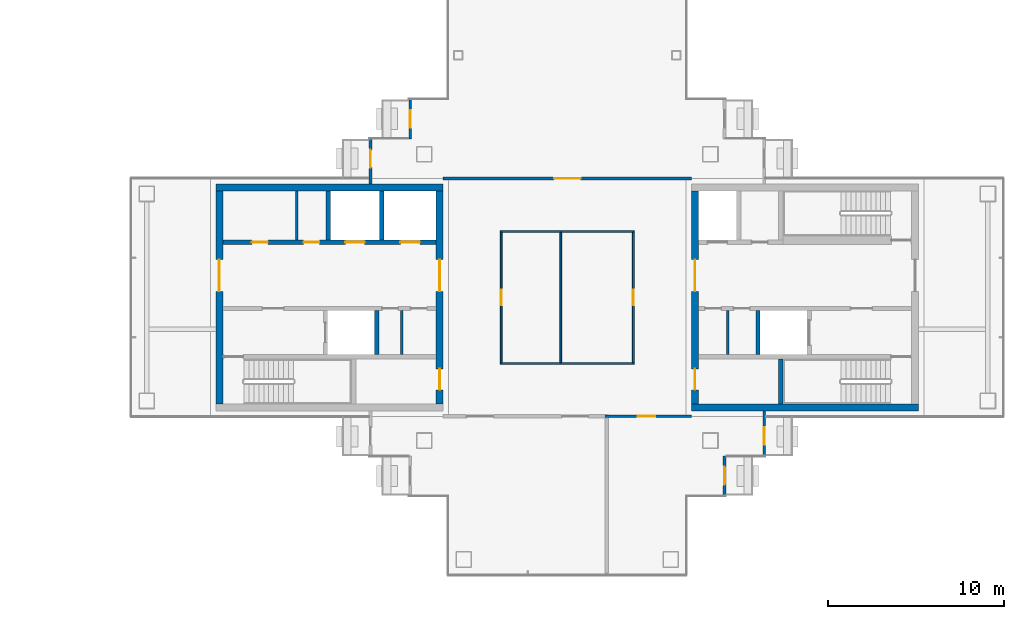
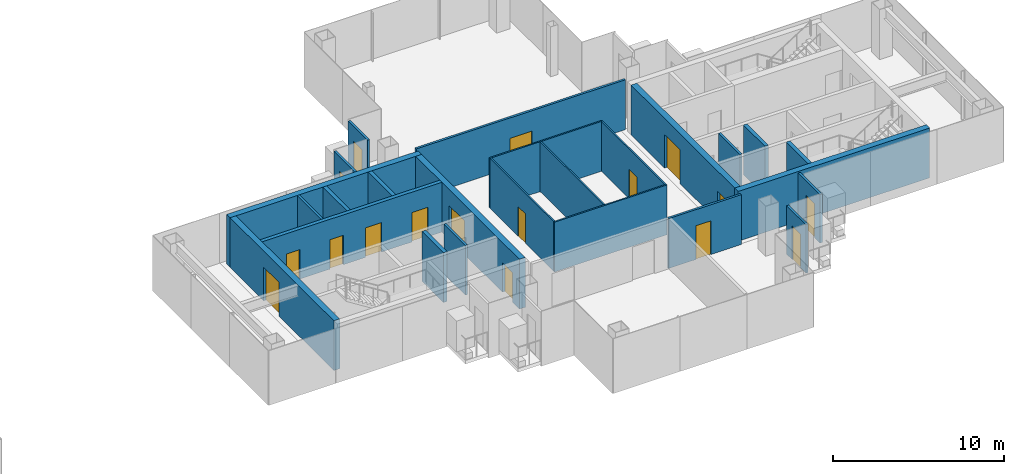
# One storey, part 11 of 16: 25 walls, 17 doors, 17 openings.
"""IFC4 building model written with IfcOpenShell, lengths in metres."""

from ifc_helpers import new_model, si_unit, direction, frame, frame_2d, origin, place, context, subcontext, project, spatial, rectangle, extrude, material, layer, layer_set, type_object, element, fill, save


model = new_model("IFC4")

# Units and contexts
model_context = context("Model", 3, precision=1e-05, world=origin(), true_north=direction((0.0, 1.0)))
body_context = subcontext(model_context, "Body", "Model", "MODEL_VIEW")
ifc_project = project(units=[si_unit("LENGTHUNIT", "METRE"), si_unit("AREAUNIT", "SQUARE_METRE"), si_unit("VOLUMEUNIT", "CUBIC_METRE"), si_unit("PLANEANGLEUNIT", "RADIAN"), si_unit("MASSUNIT", "GRAM", prefix="KILO")], contexts=[model_context])

# Site, building, storey
site_placement = place(None, origin())
site = spatial("IfcSite", under=ifc_project, at=site_placement, CompositionType="ELEMENT")
building_placement = place(site_placement, origin())
building = spatial("IfcBuilding", under=site, at=building_placement, Name="Shamsa Quay Exchange Towers", CompositionType="ELEMENT")
storey_placement = place(building_placement, frame((0.0, 0.0, 242.10009765625)))
storey = spatial("IfcBuildingStorey", under=building, at=storey_placement, Name="L58", CompositionType="ELEMENT", Elevation=242.10009765625)

# Wall, opening, door
ifc_material_1 = material(Name="Aluminium EN AW-6063 T6, black anodised, with black enamelled glass infill", Category="aluminium")
ifc_layer_1 = layer(ifc_material_1, 0.14990234375)
ifc_layer_set_1 = layer_set([ifc_layer_1], Name="BALCONY DOOR BAY WALL 150")
wall_type_1 = type_object("IfcWallType", Name="BALCONY DOOR BAY WALL 150", PredefinedType="SOLIDWALL", material=ifc_layer_set_1)
wall_1_placement = place(storey_placement, frame((24.824951171875, 9.0, 0.0), z_axis=(0.0, 0.0, 1.0), x_axis=(0.0, 1.0, 0.0)))
wall_1 = element("IfcWall", 1, at=wall_1_placement, inside=storey, type_object=wall_type_1, Name="Door bay T2-PKEN L58", PredefinedType="SOLIDWALL", context=body_context, shape_type="SweptSolid", body=[
    extrude(rectangle(XDim=2.25, YDim=0.14990234375, at=frame_2d((1.125, 0.0))), origin(), (0.0, 0.0, 1.0), 3.449951171875),
])
opening_1_placement = place(wall_1_placement, frame((0.625, 0.0, 0.0)))
opening_1 = element("IfcOpeningElement", 2, at=opening_1_placement, cuts=wall_1, Name="Opening XD385", PredefinedType="OPENING", context=body_context, shape_type="SweptSolid", body=[
    extrude(rectangle(XDim=1.0, YDim=2.39990234375, at=frame_2d((0.5, 1.199951171875))), frame((0.0, 0.0849609375, 0.0), z_axis=(0.0, -1.0, 0.0), x_axis=(1.0, 0.0, 0.0)), (0.0, 0.0, 1.0), 0.169921875),
])
ifc_material_2 = material(Name="Aluminium EN AW-6063 T6, black anodised, with laminated glass leaf", Category="aluminium")
door_type_1 = type_object("IfcDoorType", Name="BALCONY DOOR 1000x2400", OperationType="SINGLE_SWING_LEFT", PredefinedType="DOOR", material=ifc_material_2)
door_1_placement = place(opening_1_placement, origin())
door_1 = element("IfcDoor", 3, at=door_1_placement, inside=storey, type_object=door_type_1, Name="Balcony door T2-PKEN L58", OperationType="SINGLE_SWING_RIGHT", OverallHeight=2.39990234375, OverallWidth=1.0, PredefinedType="DOOR", context=body_context, shape_type="SweptSolid", body=[
    extrude(rectangle(XDim=1.0, YDim=2.39990234375, at=frame_2d((0.5, 1.199951171875))), frame((0.0, 0.02490234375, 0.0), z_axis=(0.0, -1.0, 0.0), x_axis=(1.0, 0.0, 0.0)), (0.0, 0.0, 1.0), 0.050048828125),
])
fill(opening_1, door_1)

wall_2_placement = place(storey_placement, frame((22.574951171875, 6.447998046875, 0.0), z_axis=(0.0, 0.0, 1.0), x_axis=(0.0, 1.0, 0.0)))
wall_2 = element("IfcWall", 4, at=wall_2_placement, inside=storey, type_object=wall_type_1, Name="Door bay T2-PKEN L58", PredefinedType="SOLIDWALL", context=body_context, shape_type="SweptSolid", body=[
    extrude(rectangle(XDim=2.552001953125, YDim=0.14990234375, at=frame_2d((1.27587890625, 0.0))), origin(), (0.0, 0.0, 1.0), 3.449951171875),
])
opening_2_placement = place(wall_2_placement, frame((0.927001953125, 0.0, 0.0)))
opening_2 = element("IfcOpeningElement", 5, at=opening_2_placement, cuts=wall_2, Name="Opening XD386", PredefinedType="OPENING", context=body_context, shape_type="SweptSolid", body=[
    extrude(rectangle(XDim=1.0, YDim=2.39990234375, at=frame_2d((0.5, 1.199951171875))), frame((0.0, 0.0849609375, 0.0), z_axis=(0.0, -1.0, 0.0), x_axis=(1.0, 0.0, 0.0)), (0.0, 0.0, 1.0), 0.169921875),
])
door_2_placement = place(opening_2_placement, origin())
door_2 = element("IfcDoor", 6, at=door_2_placement, inside=storey, type_object=door_type_1, Name="Balcony door T2-PKEN L58", OperationType="SINGLE_SWING_LEFT", OverallHeight=2.39990234375, OverallWidth=1.0, PredefinedType="DOOR", context=body_context, shape_type="SweptSolid", body=[
    extrude(rectangle(XDim=1.0, YDim=2.39990234375, at=frame_2d((0.5, 1.199951171875))), frame((0.0, 0.02490234375, 0.0), z_axis=(0.0, -1.0, 0.0), x_axis=(1.0, 0.0, 0.0)), (0.0, 0.0, 1.0), 0.050048828125),
])
fill(opening_2, door_2)

wall_3_placement = place(storey_placement, frame((42.675048828125, -9.0, 0.0), z_axis=(0.0, 0.0, 1.0), x_axis=(0.0, -1.0, 0.0)))
wall_3 = element("IfcWall", 7, at=wall_3_placement, inside=storey, type_object=wall_type_1, Name="Door bay T2-PKWS L58", PredefinedType="SOLIDWALL", context=body_context, shape_type="SweptSolid", body=[
    extrude(rectangle(XDim=2.25, YDim=0.14990234375, at=frame_2d((1.125, 0.0))), origin(), (0.0, 0.0, 1.0), 3.449951171875),
])
opening_3_placement = place(wall_3_placement, frame((0.625, 0.0, 0.0)))
opening_3 = element("IfcOpeningElement", 8, at=opening_3_placement, cuts=wall_3, Name="Opening XD391", PredefinedType="OPENING", context=body_context, shape_type="SweptSolid", body=[
    extrude(rectangle(XDim=1.0, YDim=2.39990234375, at=frame_2d((0.5, 1.199951171875))), frame((0.0, 0.0849609375, 0.0), z_axis=(0.0, -1.0, 0.0), x_axis=(1.0, 0.0, 0.0)), (0.0, 0.0, 1.0), 0.169921875),
])
door_3_placement = place(opening_3_placement, origin())
door_3 = element("IfcDoor", 9, at=door_3_placement, inside=storey, type_object=door_type_1, Name="Balcony door T2-PKWS L58", OperationType="SINGLE_SWING_LEFT", OverallHeight=2.39990234375, OverallWidth=1.0, PredefinedType="DOOR", context=body_context, shape_type="SweptSolid", body=[
    extrude(rectangle(XDim=1.0, YDim=2.39990234375, at=frame_2d((0.5, 1.199951171875))), frame((0.0, 0.02490234375, 0.0), z_axis=(0.0, -1.0, 0.0), x_axis=(1.0, 0.0, 0.0)), (0.0, 0.0, 1.0), 0.050048828125),
])
fill(opening_3, door_3)

wall_4_placement = place(storey_placement, frame((44.925048828125, -6.447998046875, 0.0), z_axis=(0.0, 0.0, 1.0), x_axis=(0.0, -1.0, 0.0)))
wall_4 = element("IfcWall", 10, at=wall_4_placement, inside=storey, type_object=wall_type_1, Name="Door bay T2-PKWS L58", PredefinedType="SOLIDWALL", context=body_context, shape_type="SweptSolid", body=[
    extrude(rectangle(XDim=2.552001953125, YDim=0.14990234375, at=frame_2d((1.27587890625, 0.0))), origin(), (0.0, 0.0, 1.0), 3.449951171875),
])
opening_4_placement = place(wall_4_placement, frame((0.927001953125, 0.0, 0.0)))
opening_4 = element("IfcOpeningElement", 11, at=opening_4_placement, cuts=wall_4, Name="Opening XD392", PredefinedType="OPENING", context=body_context, shape_type="SweptSolid", body=[
    extrude(rectangle(XDim=1.0, YDim=2.39990234375, at=frame_2d((0.5, 1.199951171875))), frame((0.0, 0.0849609375, 0.0), z_axis=(0.0, -1.0, 0.0), x_axis=(1.0, 0.0, 0.0)), (0.0, 0.0, 1.0), 0.169921875),
])
door_4_placement = place(opening_4_placement, origin())
door_4 = element("IfcDoor", 12, at=door_4_placement, inside=storey, type_object=door_type_1, Name="Balcony door T2-PKWS L58", OperationType="SINGLE_SWING_RIGHT", OverallHeight=2.39990234375, OverallWidth=1.0, PredefinedType="DOOR", context=body_context, shape_type="SweptSolid", body=[
    extrude(rectangle(XDim=1.0, YDim=2.39990234375, at=frame_2d((0.5, 1.199951171875))), frame((0.0, 0.02490234375, 0.0), z_axis=(0.0, -1.0, 0.0), x_axis=(1.0, 0.0, 0.0)), (0.0, 0.0, 1.0), 0.050048828125),
])
fill(opening_4, door_4)

# Wall
ifc_material_3 = material(Name="Concrete C60/75", Category="concrete")
ifc_layer_2 = layer(ifc_material_3, 0.39990234375)
ifc_layer_set_2 = layer_set([ifc_layer_2], Name="CORE WALL 400 C60/75")
wall_type_2 = type_object("IfcWallType", Name="CORE WALL 400 C60/75", PredefinedType="SHEAR", material=ifc_layer_set_2)
wall_5_placement = place(storey_placement, frame((13.800048828125, 6.25, 0.0)))
element("IfcWall", 13, at=wall_5_placement, inside=storey, type_object=wall_type_2, Name="Core wall T2A-R26-PN", PredefinedType="SHEAR", context=body_context, shape_type="SweptSolid", body=[
    extrude(rectangle(XDim=12.89990234375, YDim=0.39990234375, at=frame_2d((6.449951171875, 0.0))), origin(), (0.0, 0.0, 1.0), 3.5498046875),
])

# Wall, opening, door
wall_6_placement = place(storey_placement, frame((14.0, 6.050048828125, 0.0), z_axis=(0.0, 0.0, 1.0), x_axis=(0.0, -1.0, 0.0)))
wall_6 = element("IfcWall", 14, at=wall_6_placement, inside=storey, type_object=wall_type_2, Name="Core wall T2A-R26-PF", PredefinedType="SHEAR", context=body_context, shape_type="SweptSolid", body=[
    extrude(rectangle(XDim=12.10009765625, YDim=0.39990234375, at=frame_2d((6.050048828125, 0.0))), origin(), (0.0, 0.0, 1.0), 3.5498046875),
])
opening_5_placement = place(wall_6_placement, frame((3.89990234375, 0.0, 0.0)))
opening_5 = element("IfcOpeningElement", 15, at=opening_5_placement, cuts=wall_6, Name="Opening T2A-R26-LBD01", PredefinedType="OPENING", context=body_context, shape_type="SweptSolid", body=[
    extrude(rectangle(XDim=1.800048828125, YDim=2.39990234375, at=frame_2d((0.89990234375, 1.199951171875))), frame((0.0, 0.2099609375, 0.0), z_axis=(0.0, -1.0, 0.0), x_axis=(1.0, 0.0, 0.0)), (0.0, 0.0, 1.0), 0.419921875),
])
ifc_material_4 = material(Name="Steel, fire rated", Category="steel")
door_type_2 = type_object("IfcDoorType", Name="LIFT LOBBY DOOR PAIR 1800", OperationType="DOUBLE_DOOR_SINGLE_SWING", PredefinedType="DOOR", material=ifc_material_4)
door_5_placement = place(opening_5_placement, origin())
door_5 = element("IfcDoor", 16, at=door_5_placement, inside=storey, type_object=door_type_2, Name="T2A-R26-LBD01", OperationType="DOUBLE_DOOR_SINGLE_SWING", OverallHeight=2.39990234375, OverallWidth=1.800048828125, PredefinedType="DOOR", context=body_context, shape_type="SweptSolid", body=[
    extrude(rectangle(XDim=1.800048828125, YDim=2.39990234375, at=frame_2d((0.89990234375, 1.199951171875))), frame((0.0, 0.02490234375, 0.0), z_axis=(0.0, -1.0, 0.0), x_axis=(1.0, 0.0, 0.0)), (0.0, 0.0, 1.0), 0.050048828125),
])
fill(opening_5, door_5)

# Wall, openings, doors
wall_7_placement = place(storey_placement, frame((26.5, 6.050048828125, 0.0), z_axis=(0.0, 0.0, 1.0), x_axis=(0.0, -1.0, 0.0)))
wall_7 = element("IfcWall", 17, at=wall_7_placement, inside=storey, type_object=wall_type_2, Name="Core wall T2A-R26-PB", PredefinedType="SHEAR", context=body_context, shape_type="SweptSolid", body=[
    extrude(rectangle(XDim=12.10009765625, YDim=0.39990234375, at=frame_2d((6.050048828125, 0.0))), origin(), (0.0, 0.0, 1.0), 3.5498046875),
])
opening_6_placement = place(wall_7_placement, frame((10.10009765625, 0.0, 0.0)))
opening_6 = element("IfcOpeningElement", 18, at=opening_6_placement, cuts=wall_7, Name="Opening T2A-R26-RD02", PredefinedType="OPENING", context=body_context, shape_type="SweptSolid", body=[
    extrude(rectangle(XDim=1.199951171875, YDim=2.10009765625, at=frame_2d((0.60009765625, 1.050048828125))), frame((0.0, 0.2099609375, 0.0), z_axis=(0.0, -1.0, 0.0), x_axis=(1.0, 0.0, 0.0)), (0.0, 0.0, 1.0), 0.419921875),
])
opening_7_placement = place(wall_7_placement, frame((3.89990234375, 0.0, 0.0)))
opening_7 = element("IfcOpeningElement", 19, at=opening_7_placement, cuts=wall_7, Name="Opening T2A-R26-LBD03", PredefinedType="OPENING", context=body_context, shape_type="SweptSolid", body=[
    extrude(rectangle(XDim=1.800048828125, YDim=2.39990234375, at=frame_2d((0.89990234375, 1.199951171875))), frame((0.0, 0.2099609375, 0.0), z_axis=(0.0, -1.0, 0.0), x_axis=(1.0, 0.0, 0.0)), (0.0, 0.0, 1.0), 0.419921875),
])
door_6_placement = place(opening_7_placement, origin())
door_6 = element("IfcDoor", 20, at=door_6_placement, inside=storey, type_object=door_type_2, Name="T2A-R26-LBD03", OperationType="DOUBLE_DOOR_SINGLE_SWING", OverallHeight=2.39990234375, OverallWidth=1.800048828125, PredefinedType="DOOR", context=body_context, shape_type="SweptSolid", body=[
    extrude(rectangle(XDim=1.800048828125, YDim=2.39990234375, at=frame_2d((0.89990234375, 1.199951171875))), frame((0.0, 0.02490234375, 0.0), z_axis=(0.0, -1.0, 0.0), x_axis=(1.0, 0.0, 0.0)), (0.0, 0.0, 1.0), 0.050048828125),
])
fill(opening_7, door_6)
door_type_3 = type_object("IfcDoorType", Name="RISER ACCESS DOOR 1200", OperationType="SINGLE_SWING_LEFT", PredefinedType="DOOR", material=ifc_material_4)
door_7_placement = place(opening_6_placement, origin())
door_7 = element("IfcDoor", 21, at=door_7_placement, inside=storey, type_object=door_type_3, Name="T2A-R26-RD02", OperationType="SINGLE_SWING_RIGHT", OverallHeight=2.10009765625, OverallWidth=1.199951171875, PredefinedType="DOOR", context=body_context, shape_type="SweptSolid", body=[
    extrude(rectangle(XDim=1.199951171875, YDim=2.10009765625, at=frame_2d((0.60009765625, 1.050048828125))), frame((0.0, 0.02490234375, 0.0), z_axis=(0.0, -1.0, 0.0), x_axis=(1.0, 0.0, 0.0)), (0.0, 0.0, 1.0), 0.050048828125),
])
fill(opening_6, door_7)

# Wall
wall_8_placement = place(storey_placement, frame((53.699951171875, -6.25, 0.0), z_axis=(0.0, 0.0, 1.0), x_axis=(-1.0, 0.0, 0.0)))
element("IfcWall", 22, at=wall_8_placement, inside=storey, type_object=wall_type_2, Name="Core wall T2B-R26-PS", PredefinedType="SHEAR", context=body_context, shape_type="SweptSolid", body=[
    extrude(rectangle(XDim=12.89990234375, YDim=0.39990234375, at=frame_2d((6.449951171875, 0.0))), origin(), (0.0, 0.0, 1.0), 3.5498046875),
])

# Wall, openings, doors
wall_9_placement = place(storey_placement, frame((41.0, -6.050048828125, 0.0), z_axis=(0.0, 0.0, 1.0), x_axis=(0.0, 1.0, 0.0)))
wall_9 = element("IfcWall", 23, at=wall_9_placement, inside=storey, type_object=wall_type_2, Name="Core wall T2B-R26-PB", PredefinedType="SHEAR", context=body_context, shape_type="SweptSolid", body=[
    extrude(rectangle(XDim=12.10009765625, YDim=0.39990234375, at=frame_2d((6.050048828125, 0.0))), origin(), (0.0, 0.0, 1.0), 3.5498046875),
])
opening_8_placement = place(wall_9_placement, frame((0.800048828125, 0.0, 0.0)))
opening_8 = element("IfcOpeningElement", 24, at=opening_8_placement, cuts=wall_9, Name="Opening T2B-R26-RD02", PredefinedType="OPENING", context=body_context, shape_type="SweptSolid", body=[
    extrude(rectangle(XDim=1.199951171875, YDim=2.10009765625, at=frame_2d((0.60009765625, 1.050048828125))), frame((0.0, 0.2099609375, 0.0), z_axis=(0.0, -1.0, 0.0), x_axis=(1.0, 0.0, 0.0)), (0.0, 0.0, 1.0), 0.419921875),
])
opening_9_placement = place(wall_9_placement, frame((6.39990234375, 0.0, 0.0)))
opening_9 = element("IfcOpeningElement", 25, at=opening_9_placement, cuts=wall_9, Name="Opening T2B-R26-LBD03", PredefinedType="OPENING", context=body_context, shape_type="SweptSolid", body=[
    extrude(rectangle(XDim=1.800048828125, YDim=2.39990234375, at=frame_2d((0.89990234375, 1.199951171875))), frame((0.0, 0.2099609375, 0.0), z_axis=(0.0, -1.0, 0.0), x_axis=(1.0, 0.0, 0.0)), (0.0, 0.0, 1.0), 0.419921875),
])
door_8_placement = place(opening_9_placement, origin())
door_8 = element("IfcDoor", 26, at=door_8_placement, inside=storey, type_object=door_type_2, Name="T2B-R26-LBD03", OperationType="DOUBLE_DOOR_SINGLE_SWING", OverallHeight=2.39990234375, OverallWidth=1.800048828125, PredefinedType="DOOR", context=body_context, shape_type="SweptSolid", body=[
    extrude(rectangle(XDim=1.800048828125, YDim=2.39990234375, at=frame_2d((0.89990234375, 1.199951171875))), frame((0.0, 0.02490234375, 0.0), z_axis=(0.0, -1.0, 0.0), x_axis=(1.0, 0.0, 0.0)), (0.0, 0.0, 1.0), 0.050048828125),
])
fill(opening_9, door_8)
door_9_placement = place(opening_8_placement, origin())
door_9 = element("IfcDoor", 27, at=door_9_placement, inside=storey, type_object=door_type_3, Name="T2B-R26-RD02", OperationType="SINGLE_SWING_LEFT", OverallHeight=2.10009765625, OverallWidth=1.199951171875, PredefinedType="DOOR", context=body_context, shape_type="SweptSolid", body=[
    extrude(rectangle(XDim=1.199951171875, YDim=2.10009765625, at=frame_2d((0.60009765625, 1.050048828125))), frame((0.0, 0.02490234375, 0.0), z_axis=(0.0, -1.0, 0.0), x_axis=(1.0, 0.0, 0.0)), (0.0, 0.0, 1.0), 0.050048828125),
])
fill(opening_8, door_9)

# Walls
ifc_material_5 = material(Name="Gypsum board on steel studs, EI 60", Category="steel")
ifc_layer_3 = layer(ifc_material_5, 0.14990234375)
ifc_layer_set_3 = layer_set([ifc_layer_3], Name="FIRE PARTITION 150")
wall_type_3 = type_object("IfcWallType", Name="FIRE PARTITION 150", PredefinedType="PARTITIONING", material=ifc_layer_set_3)
wall_10_placement = place(storey_placement, frame((24.35009765625, -3.25, 0.0), z_axis=(0.0, 0.0, 1.0), x_axis=(0.0, 1.0, 0.0)))
element("IfcWall", 28, at=wall_10_placement, inside=storey, type_object=wall_type_3, Name="Partition T2A-R26-EC0", PredefinedType="PARTITIONING", context=body_context, shape_type="SweptSolid", body=[
    extrude(rectangle(XDim=2.5, YDim=0.14990234375, at=frame_2d((1.25, 0.0))), origin(), (0.0, 0.0, 1.0), 3.5498046875),
])
wall_11_placement = place(storey_placement, frame((18.39990234375, 3.25, 0.0), z_axis=(0.0, 0.0, 1.0), x_axis=(0.0, 1.0, 0.0)))
element("IfcWall", 29, at=wall_11_placement, inside=storey, type_object=wall_type_3, Name="Partition T2A-R26-FC0", PredefinedType="PARTITIONING", context=body_context, shape_type="SweptSolid", body=[
    extrude(rectangle(XDim=2.800048828125, YDim=0.14990234375, at=frame_2d((1.39990234375, 0.0))), origin(), (0.0, 0.0, 1.0), 3.5498046875),
])
wall_12_placement = place(storey_placement, frame((42.85009765625, -3.25, 0.0), z_axis=(0.0, 0.0, 1.0), x_axis=(0.0, 1.0, 0.0)))
element("IfcWall", 30, at=wall_12_placement, inside=storey, type_object=wall_type_3, Name="Partition T2B-R26-EC0", PredefinedType="PARTITIONING", context=body_context, shape_type="SweptSolid", body=[
    extrude(rectangle(XDim=2.5, YDim=0.14990234375, at=frame_2d((1.25, 0.0))), origin(), (0.0, 0.0, 1.0), 3.5498046875),
])

# Wall, opening, door
ifc_material_6 = material(Name="Gypsum board partition on metal studs")
ifc_layer_4 = layer(ifc_material_6, 0.10009765625)
ifc_layer_set_4 = layer_set([ifc_layer_4], Name="Partition 100 mm NOT RATED")
wall_type_4 = type_object("IfcWallType", Name="Partition 100 mm NOT RATED", PredefinedType="PARTITIONING", material=ifc_layer_set_4)
wall_13_placement = place(storey_placement, frame((37.5, -3.699951171875, 0.0), z_axis=(0.0, 0.0, 1.0), x_axis=(0.0, 1.0, 0.0)))
wall_13 = element("IfcWall", 31, at=wall_13_placement, inside=storey, type_object=wall_type_4, Name="Partition T2-R26-W01", PredefinedType="PARTITIONING", context=body_context, shape_type="SweptSolid", body=[
    extrude(rectangle(XDim=7.39990234375, YDim=0.10009765625, at=frame_2d((3.699951171875, 0.0))), origin(), (0.0, 0.0, 1.0), 3.5498046875),
])
opening_10_placement = place(wall_13_placement, frame((3.25, 0.0, 0.0)))
opening_10 = element("IfcOpeningElement", 32, at=opening_10_placement, cuts=wall_13, Name="Opening T2-R26-D02", PredefinedType="OPENING", context=body_context, shape_type="SweptSolid", body=[
    extrude(rectangle(XDim=0.89990234375, YDim=2.10009765625, at=frame_2d((0.449951171875, 1.050048828125))), frame((0.0, 0.06005859375, 0.0), z_axis=(0.0, -1.0, 0.0), x_axis=(1.0, 0.0, 0.0)), (0.0, 0.0, 1.0), 0.1201171875),
])
ifc_material_7 = material(Name="Timber door leaf in a metal frame", Category="wood")
door_type_4 = type_object("IfcDoorType", Name="Door 900x2100 NOT RATED", OperationType="NOTDEFINED", PredefinedType="DOOR", material=ifc_material_7)
door_10_placement = place(opening_10_placement, origin())
door_10 = element("IfcDoor", 33, at=door_10_placement, inside=storey, type_object=door_type_4, Name="Door T2-R26-D02", OperationType="SINGLE_SWING_LEFT", OverallHeight=2.10009765625, OverallWidth=0.89990234375, PredefinedType="DOOR", context=body_context, shape_type="SweptSolid", body=[
    extrude(rectangle(XDim=0.89990234375, YDim=2.10009765625, at=frame_2d((0.449951171875, 1.050048828125))), frame((0.0, 0.02490234375, 0.0), z_axis=(0.0, -1.0, 0.0), x_axis=(1.0, 0.0, 0.0)), (0.0, 0.0, 1.0), 0.050048828125),
])
fill(opening_10, door_10)

# Walls
wall_14_placement = place(storey_placement, frame((29.949951171875, -3.75, 0.0)))
element("IfcWall", 34, at=wall_14_placement, inside=storey, type_object=wall_type_4, Name="Partition T2-R26-W02", PredefinedType="PARTITIONING", context=body_context, shape_type="SweptSolid", body=[
    extrude(rectangle(XDim=7.60009765625, YDim=0.10009765625, at=frame_2d((3.800048828125, 0.0))), origin(), (0.0, 0.0, 1.0), 3.5498046875),
])
wall_15_placement = place(storey_placement, frame((37.550048828125, 3.75, 0.0), z_axis=(0.0, 0.0, 1.0), x_axis=(-1.0, 0.0, 0.0)))
element("IfcWall", 35, at=wall_15_placement, inside=storey, type_object=wall_type_4, Name="Partition T2-R26-W03", PredefinedType="PARTITIONING", context=body_context, shape_type="SweptSolid", body=[
    extrude(rectangle(XDim=7.60009765625, YDim=0.10009765625, at=frame_2d((3.800048828125, 0.0))), origin(), (0.0, 0.0, 1.0), 3.5498046875),
])

# Wall, opening, door
wall_16_placement = place(storey_placement, frame((30.0, 3.699951171875, 0.0), z_axis=(0.0, 0.0, 1.0), x_axis=(0.0, -1.0, 0.0)))
wall_16 = element("IfcWall", 36, at=wall_16_placement, inside=storey, type_object=wall_type_4, Name="Partition T2-R26-W04", PredefinedType="PARTITIONING", context=body_context, shape_type="SweptSolid", body=[
    extrude(rectangle(XDim=7.39990234375, YDim=0.10009765625, at=frame_2d((3.699951171875, 0.0))), origin(), (0.0, 0.0, 1.0), 3.5498046875),
])
opening_11_placement = place(wall_16_placement, frame((3.25, 0.0, 0.0)))
opening_11 = element("IfcOpeningElement", 37, at=opening_11_placement, cuts=wall_16, Name="Opening T2-R26-D06", PredefinedType="OPENING", context=body_context, shape_type="SweptSolid", body=[
    extrude(rectangle(XDim=0.89990234375, YDim=2.10009765625, at=frame_2d((0.449951171875, 1.050048828125))), frame((0.0, 0.06005859375, 0.0), z_axis=(0.0, -1.0, 0.0), x_axis=(1.0, 0.0, 0.0)), (0.0, 0.0, 1.0), 0.1201171875),
])
door_11_placement = place(opening_11_placement, origin())
door_11 = element("IfcDoor", 38, at=door_11_placement, inside=storey, type_object=door_type_4, Name="Door T2-R26-D06", OperationType="SINGLE_SWING_RIGHT", OverallHeight=2.10009765625, OverallWidth=0.89990234375, PredefinedType="DOOR", context=body_context, shape_type="SweptSolid", body=[
    extrude(rectangle(XDim=0.89990234375, YDim=2.10009765625, at=frame_2d((0.449951171875, 1.050048828125))), frame((0.0, 0.02490234375, 0.0), z_axis=(0.0, -1.0, 0.0), x_axis=(1.0, 0.0, 0.0)), (0.0, 0.0, 1.0), 0.050048828125),
])
fill(opening_11, door_11)

# Wall
wall_17_placement = place(storey_placement, frame((33.375, 3.699951171875, 0.0), z_axis=(0.0, 0.0, 1.0), x_axis=(0.0, -1.0, 0.0)))
element("IfcWall", 39, at=wall_17_placement, inside=storey, type_object=wall_type_4, Name="Partition T2-R26-W08", PredefinedType="PARTITIONING", context=body_context, shape_type="SweptSolid", body=[
    extrude(rectangle(XDim=7.39990234375, YDim=0.10009765625, at=frame_2d((3.699951171875, 0.0))), origin(), (0.0, 0.0, 1.0), 3.5498046875),
])

# Wall, opening, door
ifc_layer_5 = layer(ifc_material_6, 0.14990234375)
ifc_layer_set_5 = layer_set([ifc_layer_5], Name="Partition 150 mm EI 60")
wall_type_5 = type_object("IfcWallType", Name="Partition 150 mm EI 60", PredefinedType="PARTITIONING", material=ifc_layer_set_5)
wall_18_placement = place(storey_placement, frame((26.699951171875, 6.75, 0.0)))
wall_18 = element("IfcWall", 40, at=wall_18_placement, inside=storey, type_object=wall_type_5, Name="Partition T2-R26-W05", PredefinedType="PARTITIONING", context=body_context, shape_type="SweptSolid", body=[
    extrude(rectangle(XDim=14.10009765625, YDim=0.14990234375, at=frame_2d((7.050048828125, 0.0))), origin(), (0.0, 0.0, 1.0), 3.5498046875),
])
opening_12_placement = place(wall_18_placement, frame((6.300048828125, 0.0, 0.0)))
opening_12 = element("IfcOpeningElement", 41, at=opening_12_placement, cuts=wall_18, Name="Opening T2-R26-D01", PredefinedType="OPENING", context=body_context, shape_type="SweptSolid", body=[
    extrude(rectangle(XDim=1.5, YDim=2.10009765625, at=frame_2d((0.75, 1.050048828125))), frame((0.0, 0.0849609375, 0.0), z_axis=(0.0, -1.0, 0.0), x_axis=(1.0, 0.0, 0.0)), (0.0, 0.0, 1.0), 0.169921875),
])
door_type_5 = type_object("IfcDoorType", Name="Door 1500x2100 FD30S pair", OperationType="NOTDEFINED", PredefinedType="DOOR", material=ifc_material_7)
door_12_placement = place(opening_12_placement, origin())
door_12 = element("IfcDoor", 42, at=door_12_placement, inside=storey, type_object=door_type_5, Name="Door T2-R26-D01", OperationType="DOUBLE_DOOR_SINGLE_SWING", OverallHeight=2.10009765625, OverallWidth=1.5, PredefinedType="DOOR", context=body_context, shape_type="SweptSolid", body=[
    extrude(rectangle(XDim=1.5, YDim=2.10009765625, at=frame_2d((0.75, 1.050048828125))), frame((0.0, 0.02490234375, 0.0), z_axis=(0.0, -1.0, 0.0), x_axis=(1.0, 0.0, 0.0)), (0.0, 0.0, 1.0), 0.050048828125),
])
fill(opening_12, door_12)

wall_19_placement = place(storey_placement, frame((40.800048828125, -6.75, 0.0), z_axis=(0.0, 0.0, 1.0), x_axis=(-1.0, 0.0, 0.0)))
wall_19 = element("IfcWall", 43, at=wall_19_placement, inside=storey, type_object=wall_type_5, Name="Partition T2-R26-W06", PredefinedType="PARTITIONING", context=body_context, shape_type="SweptSolid", body=[
    extrude(rectangle(XDim=4.900146484375, YDim=0.14990234375, at=frame_2d((2.4501953125, 0.0))), origin(), (0.0, 0.0, 1.0), 3.5498046875),
])
opening_13_placement = place(wall_19_placement, frame((2.050048828125, 0.0, 0.0)))
opening_13 = element("IfcOpeningElement", 44, at=opening_13_placement, cuts=wall_19, Name="Opening T2-R26-D04", PredefinedType="OPENING", context=body_context, shape_type="SweptSolid", body=[
    extrude(rectangle(XDim=1.0, YDim=2.39990234375, at=frame_2d((0.5, 1.199951171875))), frame((0.0, 0.0849609375, 0.0), z_axis=(0.0, -1.0, 0.0), x_axis=(1.0, 0.0, 0.0)), (0.0, 0.0, 1.0), 0.169921875),
])
door_type_6 = type_object("IfcDoorType", Name="Door 1000x2400 FD30S", OperationType="NOTDEFINED", PredefinedType="DOOR", material=ifc_material_7)
door_13_placement = place(opening_13_placement, origin())
door_13 = element("IfcDoor", 45, at=door_13_placement, inside=storey, type_object=door_type_6, Name="Door T2-R26-D04", OperationType="SINGLE_SWING_RIGHT", OverallHeight=2.39990234375, OverallWidth=1.0, PredefinedType="DOOR", context=body_context, shape_type="SweptSolid", body=[
    extrude(rectangle(XDim=1.0, YDim=2.39990234375, at=frame_2d((0.5, 1.199951171875))), frame((0.0, 0.02490234375, 0.0), z_axis=(0.0, -1.0, 0.0), x_axis=(1.0, 0.0, 0.0)), (0.0, 0.0, 1.0), 0.050048828125),
])
fill(opening_13, door_13)

# Wall
ifc_material_8 = material(Name="Concrete C50/60", Category="concrete")
ifc_layer_6 = layer(ifc_material_8, 0.25)
ifc_layer_set_6 = layer_set([ifc_layer_6], Name="SHAFT WALL 250 C50/60")
wall_type_6 = type_object("IfcWallType", Name="SHAFT WALL 250 C50/60", PredefinedType="SHEAR", material=ifc_layer_set_6)
wall_20_placement = place(storey_placement, frame((22.925048828125, -3.25, 0.0), z_axis=(0.0, 0.0, 1.0), x_axis=(0.0, 1.0, 0.0)))
element("IfcWall", 46, at=wall_20_placement, inside=storey, type_object=wall_type_6, Name="Shaft wall T2A-R26-FFB", PredefinedType="SHEAR", context=body_context, shape_type="SweptSolid", body=[
    extrude(rectangle(XDim=2.5, YDim=0.25, at=frame_2d((1.25, 0.0))), origin(), (0.0, 0.0, 1.0), 3.5498046875),
])

# Wall, openings, doors
wall_21_placement = place(storey_placement, frame((14.199951171875, 3.125, 0.0)))
wall_21 = element("IfcWall", 47, at=wall_21_placement, inside=storey, type_object=wall_type_6, Name="Shaft wall T2A-R26-N", PredefinedType="SHEAR", context=body_context, shape_type="SweptSolid", body=[
    extrude(rectangle(XDim=12.10009765625, YDim=0.25, at=frame_2d((6.050048828125, 0.0))), origin(), (0.0, 0.0, 1.0), 3.5498046875),
])
opening_14_placement = place(wall_21_placement, frame((6.949951171875, 0.0, 0.0)))
opening_14 = element("IfcOpeningElement", 48, at=opening_14_placement, cuts=wall_21, Name="Opening T2A-R26-LD09", PredefinedType="OPENING", context=body_context, shape_type="SweptSolid", body=[
    extrude(rectangle(XDim=1.10009765625, YDim=2.10009765625, at=frame_2d((0.550048828125, 1.050048828125))), frame((0.0, 0.135009765625, 0.0), z_axis=(0.0, -1.0, 0.0), x_axis=(1.0, 0.0, 0.0)), (0.0, 0.0, 1.0), 0.27001953125),
])
opening_15_placement = place(wall_21_placement, frame((10.074951171875, 0.0, 0.0)))
opening_15 = element("IfcOpeningElement", 49, at=opening_15_placement, cuts=wall_21, Name="Opening T2A-R26-LD10", PredefinedType="OPENING", context=body_context, shape_type="SweptSolid", body=[
    extrude(rectangle(XDim=1.10009765625, YDim=2.10009765625, at=frame_2d((0.550048828125, 1.050048828125))), frame((0.0, 0.135009765625, 0.0), z_axis=(0.0, -1.0, 0.0), x_axis=(1.0, 0.0, 0.0)), (0.0, 0.0, 1.0), 0.27001953125),
])
opening_16_placement = place(wall_21_placement, frame((1.64990234375, 0.0, 0.0)))
opening_16 = element("IfcOpeningElement", 50, at=opening_16_placement, cuts=wall_21, Name="Opening T2A-R26-SV11", PredefinedType="OPENING", context=body_context, shape_type="SweptSolid", body=[
    extrude(rectangle(XDim=0.89990234375, YDim=2.10009765625, at=frame_2d((0.449951171875, 1.050048828125))), frame((0.0, 0.135009765625, 0.0), z_axis=(0.0, -1.0, 0.0), x_axis=(1.0, 0.0, 0.0)), (0.0, 0.0, 1.0), 0.27001953125),
])
opening_17_placement = place(wall_21_placement, frame((4.574951171875, 0.0, 0.0)))
opening_17 = element("IfcOpeningElement", 51, at=opening_17_placement, cuts=wall_21, Name="Opening T2A-R26-SV12", PredefinedType="OPENING", context=body_context, shape_type="SweptSolid", body=[
    extrude(rectangle(XDim=0.89990234375, YDim=2.10009765625, at=frame_2d((0.449951171875, 1.050048828125))), frame((0.0, 0.135009765625, 0.0), z_axis=(0.0, -1.0, 0.0), x_axis=(1.0, 0.0, 0.0)), (0.0, 0.0, 1.0), 0.27001953125),
])
door_type_7 = type_object("IfcDoorType", Name="LANDING DOOR 1100", OperationType="SLIDING_TO_LEFT", PredefinedType="DOOR", material=ifc_material_4)
door_14_placement = place(opening_14_placement, origin())
door_14 = element("IfcDoor", 52, at=door_14_placement, inside=storey, type_object=door_type_7, Name="T2A-R26-LD09", OperationType="SLIDING_TO_LEFT", OverallHeight=2.10009765625, OverallWidth=1.10009765625, PredefinedType="DOOR", context=body_context, shape_type="SweptSolid", body=[
    extrude(rectangle(XDim=1.10009765625, YDim=2.10009765625, at=frame_2d((0.550048828125, 1.050048828125))), frame((0.0, 0.02490234375, 0.0), z_axis=(0.0, -1.0, 0.0), x_axis=(1.0, 0.0, 0.0)), (0.0, 0.0, 1.0), 0.050048828125),
])
fill(opening_14, door_14)
door_15_placement = place(opening_15_placement, origin())
door_15 = element("IfcDoor", 53, at=door_15_placement, inside=storey, type_object=door_type_7, Name="T2A-R26-LD10", OperationType="SLIDING_TO_LEFT", OverallHeight=2.10009765625, OverallWidth=1.10009765625, PredefinedType="DOOR", context=body_context, shape_type="SweptSolid", body=[
    extrude(rectangle(XDim=1.10009765625, YDim=2.10009765625, at=frame_2d((0.550048828125, 1.050048828125))), frame((0.0, 0.02490234375, 0.0), z_axis=(0.0, -1.0, 0.0), x_axis=(1.0, 0.0, 0.0)), (0.0, 0.0, 1.0), 0.050048828125),
])
fill(opening_15, door_15)
door_type_8 = type_object("IfcDoorType", Name="SERVICE ROOM DOOR 900", OperationType="SINGLE_SWING_LEFT", PredefinedType="DOOR", material=ifc_material_4)
door_16_placement = place(opening_16_placement, origin())
door_16 = element("IfcDoor", 54, at=door_16_placement, inside=storey, type_object=door_type_8, Name="T2A-R26-SV11", OperationType="SINGLE_SWING_LEFT", OverallHeight=2.10009765625, OverallWidth=0.89990234375, PredefinedType="DOOR", context=body_context, shape_type="SweptSolid", body=[
    extrude(rectangle(XDim=0.89990234375, YDim=2.10009765625, at=frame_2d((0.449951171875, 1.050048828125))), frame((0.0, 0.02490234375, 0.0), z_axis=(0.0, -1.0, 0.0), x_axis=(1.0, 0.0, 0.0)), (0.0, 0.0, 1.0), 0.050048828125),
])
fill(opening_16, door_16)
door_17_placement = place(opening_17_placement, origin())
door_17 = element("IfcDoor", 55, at=door_17_placement, inside=storey, type_object=door_type_8, Name="T2A-R26-SV12", OperationType="SINGLE_SWING_LEFT", OverallHeight=2.10009765625, OverallWidth=0.89990234375, PredefinedType="DOOR", context=body_context, shape_type="SweptSolid", body=[
    extrude(rectangle(XDim=0.89990234375, YDim=2.10009765625, at=frame_2d((0.449951171875, 1.050048828125))), frame((0.0, 0.02490234375, 0.0), z_axis=(0.0, -1.0, 0.0), x_axis=(1.0, 0.0, 0.0)), (0.0, 0.0, 1.0), 0.050048828125),
])
fill(opening_17, door_17)

# Walls
for number, where, z_axis, x_axis, name in (
    (56, (20.175048828125, 3.25, 0.0), (0.0, 0.0, 1.0), (0.0, 1.0, 0.0), "Shaft wall T2A-R26-D1"),
    (57, (23.22509765625, 3.25, 0.0), (0.0, 0.0, 1.0), (0.0, 1.0, 0.0), "Shaft wall T2A-R26-D2"),
):
    element("IfcWall", number, at=place(storey_placement, frame(where, z_axis=z_axis, x_axis=x_axis)), inside=storey, type_object=wall_type_6, Name=name, PredefinedType="SHEAR", context=body_context, shape_type="SweptSolid", body=[
        extrude(rectangle(XDim=2.800048828125, YDim=0.25, at=frame_2d((1.39990234375, 0.0))), origin(), (0.0, 0.0, 1.0), 3.5498046875),
    ])
wall_22_placement = place(storey_placement, frame((45.875, -6.050048828125, 0.0), z_axis=(0.0, 0.0, 1.0), x_axis=(0.0, 1.0, 0.0)))
element("IfcWall", 58, at=wall_22_placement, inside=storey, type_object=wall_type_6, Name="Shaft wall T2B-R26-STF", PredefinedType="SHEAR", context=body_context, shape_type="SweptSolid", body=[
    extrude(rectangle(XDim=2.550048828125, YDim=0.25, at=frame_2d((1.27490234375, 0.0))), origin(), (0.0, 0.0, 1.0), 3.5498046875),
])
wall_23_placement = place(storey_placement, frame((44.574951171875, -3.25, 0.0), z_axis=(0.0, 0.0, 1.0), x_axis=(0.0, 1.0, 0.0)))
element("IfcWall", 59, at=wall_23_placement, inside=storey, type_object=wall_type_6, Name="Shaft wall T2B-R26-FFB", PredefinedType="SHEAR", context=body_context, shape_type="SweptSolid", body=[
    extrude(rectangle(XDim=2.5, YDim=0.25, at=frame_2d((1.25, 0.0))), origin(), (0.0, 0.0, 1.0), 3.5498046875),
])

save(model, "model.ifc")
